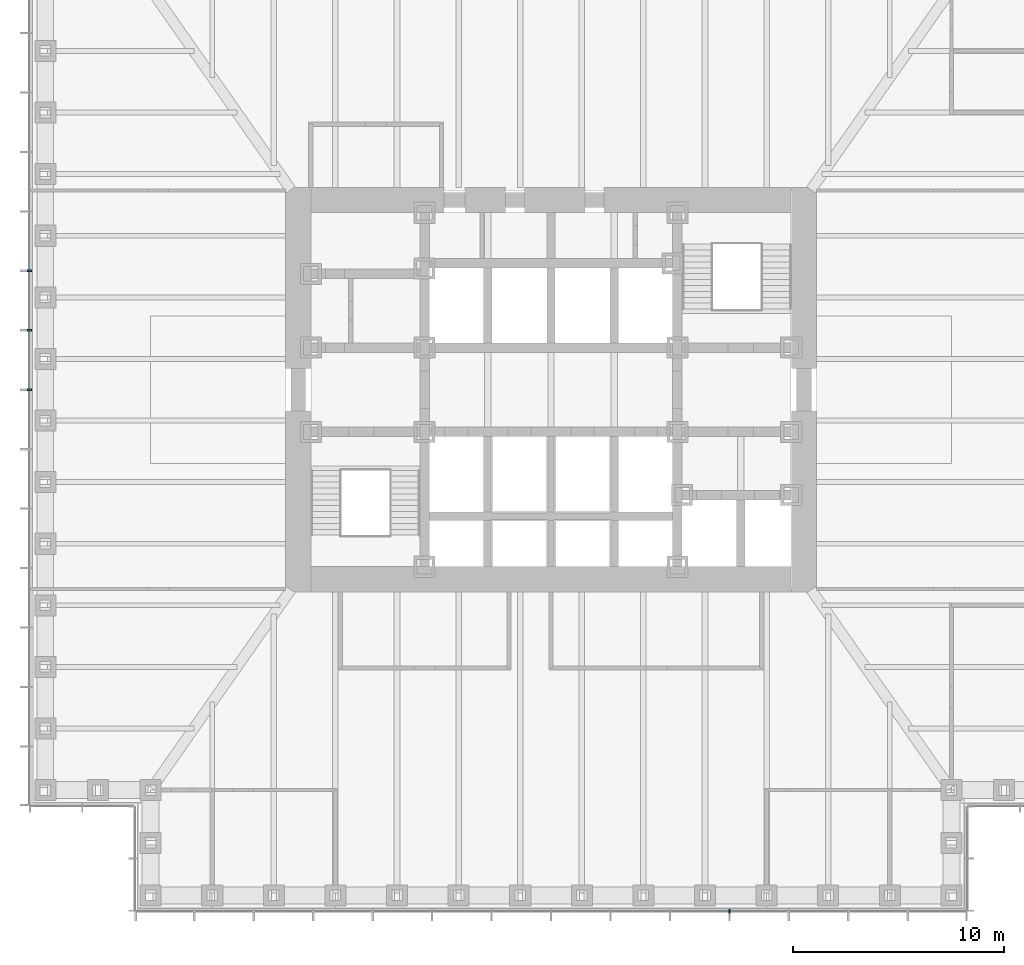
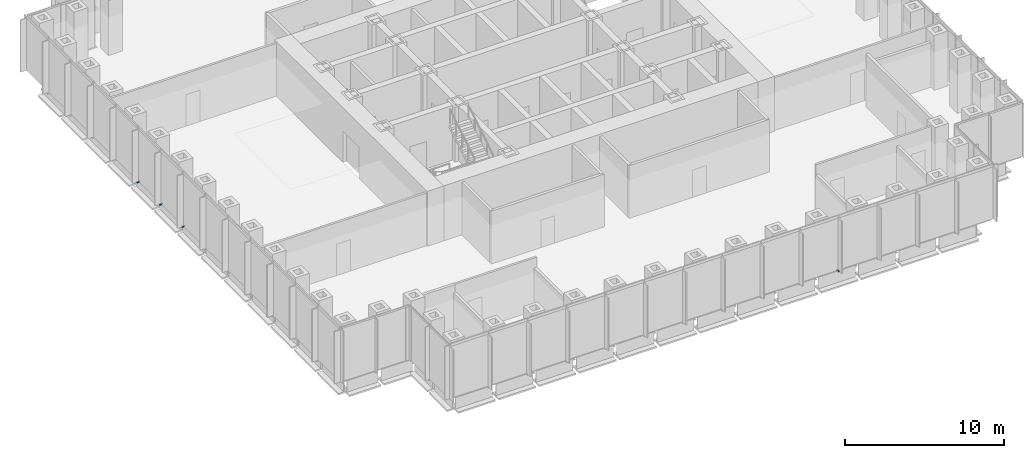
# One storey, part 12 of 16: 4 discrete accessories.
"""IFC4 building model written with IfcOpenShell, lengths in metres."""

from ifc_helpers import new_model, si_unit, direction, frame, origin, origin_2d, place, context, subcontext, project, spatial, rectangle, extrude, element, save


model = new_model("IFC4")

# Units and contexts
model_context = context("Model", 3, precision=1e-05, world=origin(), true_north=direction((0.0, 1.0)))
body_context = subcontext(model_context, "Body", "Model", "MODEL_VIEW")
ifc_project = project(units=[si_unit("LENGTHUNIT", "METRE"), si_unit("AREAUNIT", "SQUARE_METRE"), si_unit("VOLUMEUNIT", "CUBIC_METRE"), si_unit("PLANEANGLEUNIT", "RADIAN"), si_unit("MASSUNIT", "GRAM", prefix="KILO")], contexts=[model_context])

# Site, building, storey
site_placement = place(None, origin())
site = spatial("IfcSite", under=ifc_project, at=site_placement, CompositionType="ELEMENT")
building_placement = place(site_placement, origin())
building = spatial("IfcBuilding", under=site, at=building_placement, Name="Daluyong Arena Tower", CompositionType="ELEMENT")
storey_placement = place(building_placement, frame((0.0, 0.0, 47.5)))
storey = spatial("IfcBuildingStorey", under=building, at=storey_placement, Name="L09", CompositionType="ELEMENT", Elevation=47.5)

# Discrete accessories
for number, where, z_axis, x_axis, name in (
    (1, (64.46435546875, 55.25, -0.10009765625), (0.0, 0.0, 1.0), (1.0, 0.0, 0.0), "curtain wall L09 S anchor bracket 11"),
    (2, (31.25, 85.642822265625, -0.10009765625), (0.0, 0.0, 1.0), (0.0, -1.0, 0.0), "curtain wall L09 W anchor bracket 6"),
    (3, (31.25, 82.821533203125, -0.10009765625), (0.0, 0.0, 1.0), (0.0, -1.0, 0.0), "curtain wall L09 W anchor bracket 7"),
    (4, (31.25, 80.0, -0.10009765625), (0.0, 0.0, 1.0), (0.0, -1.0, 0.0), "curtain wall L09 W anchor bracket 8"),
):
    element("IfcDiscreteAccessory", number, at=place(storey_placement, frame(where, z_axis=z_axis, x_axis=x_axis)), inside=storey, Name=name, PredefinedType="BRACKET", context=body_context, shape_type="SweptSolid", body=[
        extrude(rectangle(XDim=0.080078125, YDim=0.199951171875, at=origin_2d()), origin(), (0.0, 0.0, 1.0), 0.10009765625),
    ])

save(model, "model.ifc")
